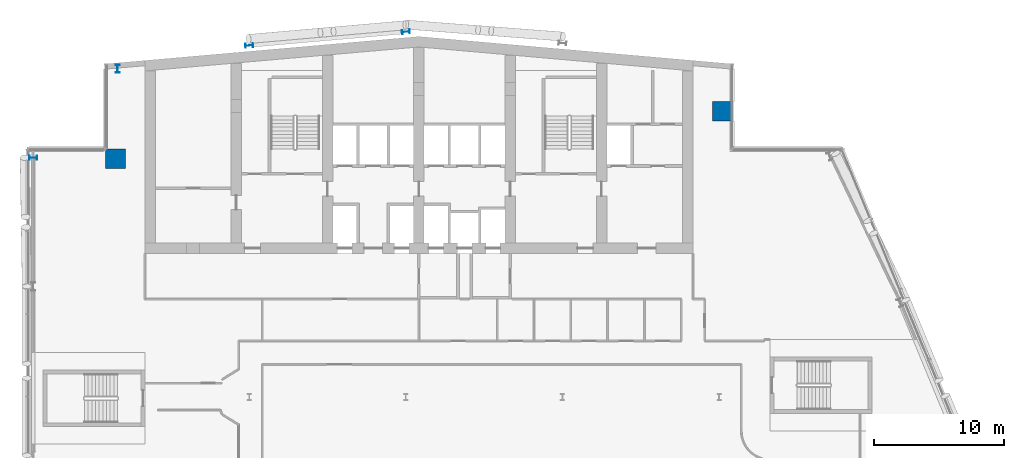
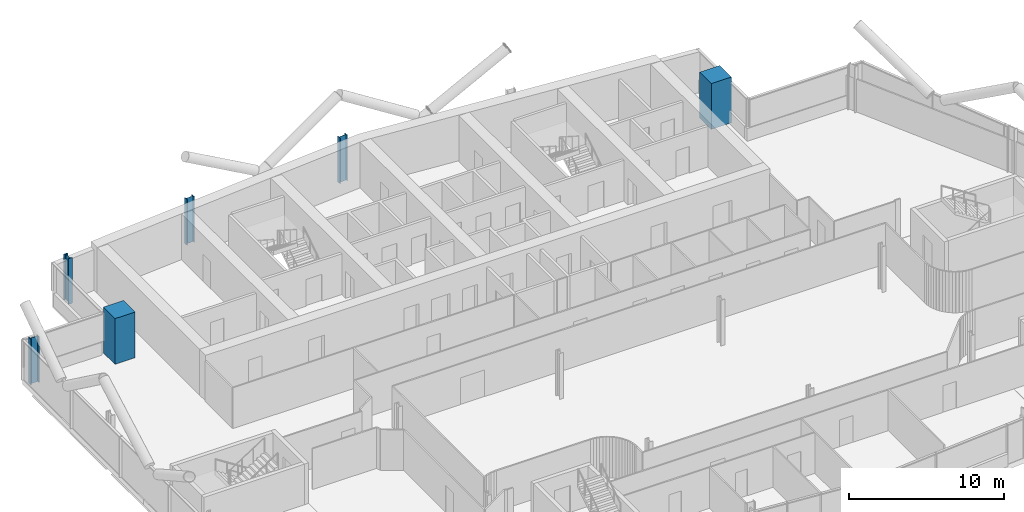
# One storey, part 3 of 27: 6 columns.
"""IFC4 building model written with IfcOpenShell, lengths in metres."""

from ifc_helpers import new_model, si_unit, direction, frame, origin, origin_2d, place, context, subcontext, project, spatial, rectangle, i_section, extrude, material, material_profile, profile_set, type_object, element, save


model = new_model("IFC4")

# Units and contexts
model_context = context("Model", 3, precision=1e-05, world=origin(), true_north=direction((0.0, 1.0)))
body_context = subcontext(model_context, "Body", "Model", "MODEL_VIEW")
ifc_project = project(units=[si_unit("LENGTHUNIT", "METRE"), si_unit("AREAUNIT", "SQUARE_METRE"), si_unit("VOLUMEUNIT", "CUBIC_METRE"), si_unit("PLANEANGLEUNIT", "RADIAN"), si_unit("MASSUNIT", "GRAM", prefix="KILO")], contexts=[model_context])

# Site, building, storey
site_placement = place(None, origin())
site = spatial("IfcSite", under=ifc_project, at=site_placement, CompositionType="ELEMENT")
building_placement = place(site_placement, origin())
building = spatial("IfcBuilding", under=site, at=building_placement, Name="Wharfspan Tower", CompositionType="ELEMENT")
storey_placement = place(building_placement, frame((0.0, 0.0, 159.100098)))
storey = spatial("IfcBuildingStorey", under=building, at=storey_placement, Name="L38", CompositionType="ELEMENT", Elevation=159.100098)

# Columns
ifc_material_1 = material(Name="Steel S355J2", Category="steel")
ifc_material_profile_1 = material_profile(ifc_material_1, i_section(OverallWidth=0.300049, OverallDepth=0.600098, WebThickness=0.015381, FlangeThickness=0.030029, FilletRadius=0.0271, at=origin_2d()))
ifc_profile_set_1 = profile_set([ifc_material_profile_1], Name="Steel S355J2")
column_type_1 = type_object("IfcColumnType", Name="Column HEB 600", PredefinedType="COLUMN", material=ifc_profile_set_1)
for number, where, z_axis, x_axis, name in (
    (1, (24.0, 49.937256, 0.0), (0.0, 0.0, 1.0), (-0.087156, 0.996198, 0.0), "Rear column R.1 L38"),
    (2, (36.0, 50.987061, 0.0), (0.0, 0.0, 1.0), (-0.087156, 0.996198, 0.0), "Rear column R.2 L38"),
):
    element("IfcColumn", number, at=place(storey_placement, frame(where, z_axis=z_axis, x_axis=x_axis)), inside=storey, type_object=column_type_1, Name=name, PredefinedType="COLUMN", context=body_context, shape_type="SweptSolid", body=[
        extrude(i_section(OverallWidth=0.300049, OverallDepth=0.600098, WebThickness=0.015381, FlangeThickness=0.030029, FilletRadius=0.0271, at=origin_2d()), origin(), (0.0, 0.0, 1.0), 3.599854),
    ])
ifc_material_profile_2 = material_profile(ifc_material_1, i_section(OverallWidth=0.304932, OverallDepth=0.620117, WebThickness=0.020996, FlangeThickness=0.040039, FilletRadius=0.0271, at=origin_2d()))
ifc_profile_set_2 = profile_set([ifc_material_profile_2], Name="Steel S355J2")
column_type_2 = type_object("IfcColumnType", Name="Column HEM 600", PredefinedType="COLUMN", material=ifc_profile_set_2)
for number, where, z_axis, x_axis, name in (
    (3, (13.911133, 48.141113, 0.0), (0.0, 0.0, 1.0), (-1.0, 0.0, 0.0), "Perimeter column PNRW-V.1 L38"),
    (4, (7.450439, 41.333008, 0.0), (0.0, 0.0, 1.0), (0.0, 1.0, 0.0), "Perimeter column PNRW-H.1 L38"),
):
    element("IfcColumn", number, at=place(storey_placement, frame(where, z_axis=z_axis, x_axis=x_axis)), inside=storey, type_object=column_type_2, Name=name, PredefinedType="COLUMN", context=body_context, shape_type="SweptSolid", body=[
        extrude(i_section(OverallWidth=0.304932, OverallDepth=0.620117, WebThickness=0.020996, FlangeThickness=0.040039, FilletRadius=0.0271, at=origin_2d()), origin(), (0.0, 0.0, 1.0), 3.599854),
    ])
ifc_material_2 = material(Name="Concrete C60/75", Category="concrete")
ifc_material_profile_3 = material_profile(ifc_material_2, rectangle(XDim=1.5, YDim=1.5, at=origin_2d()))
ifc_profile_set_3 = profile_set([ifc_material_profile_3], Name="Concrete C60/75")
column_type_3 = type_object("IfcColumnType", Name="Mega column 1500 C60/75", PredefinedType="COLUMN", material=ifc_profile_set_3)
for number, where, z_axis, x_axis, name in (
    (5, (13.75, 41.25, 0.0), (0.0, 0.0, 1.0), (1.0, 0.0, 0.0), "Mega column MC2 L38"),
    (6, (60.25, 44.899902, 0.0), (0.0, 0.0, 1.0), (1.0, 0.0, 0.0), "Mega column MC3 L38"),
):
    element("IfcColumn", number, at=place(storey_placement, frame(where, z_axis=z_axis, x_axis=x_axis)), inside=storey, type_object=column_type_3, Name=name, PredefinedType="COLUMN", context=body_context, shape_type="SweptSolid", body=[
        extrude(rectangle(XDim=1.5, YDim=1.5, at=origin_2d()), origin(), (0.0, 0.0, 1.0), 3.599854),
    ])

save(model, "model.ifc")
